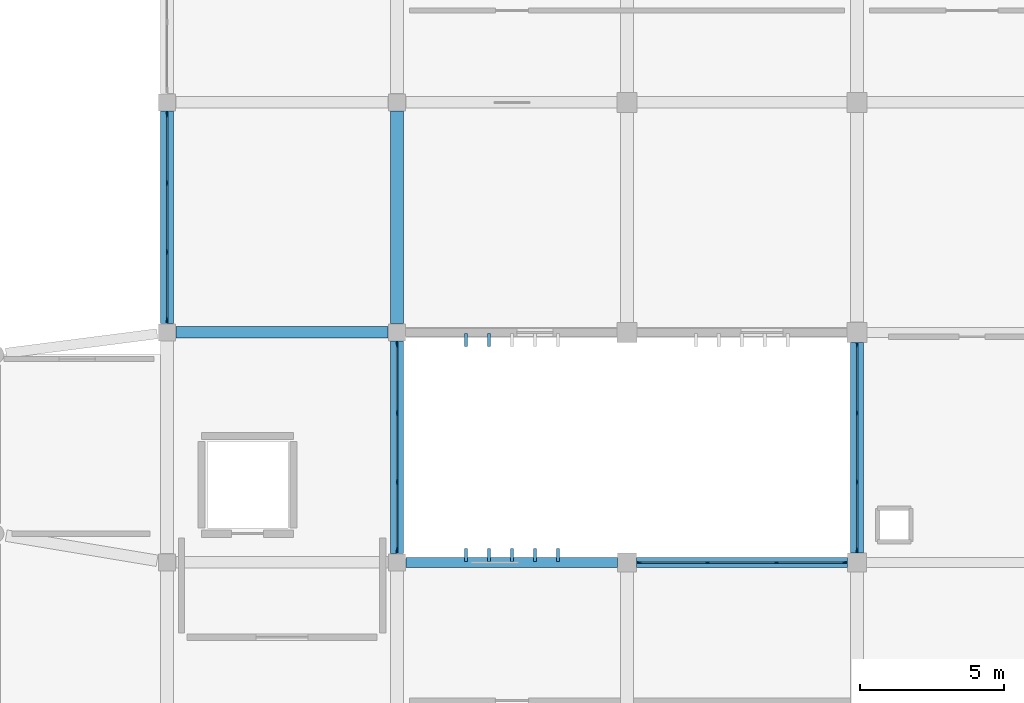
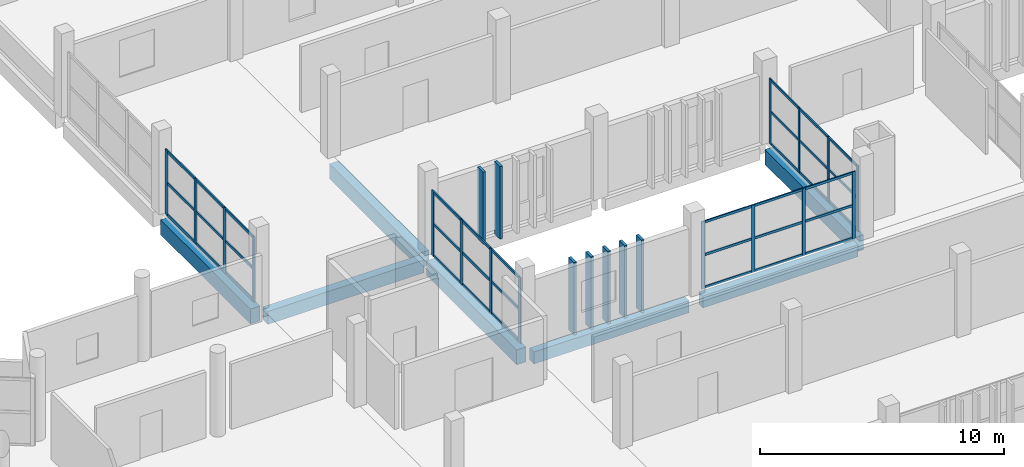
# One storey, part 21 of 137: 59 members, 7 beams, 4 elements without a shape of their own.
"""IFC4 building model written with IfcOpenShell, lengths in metres."""

from ifc_helpers import new_model, si_unit, direction, frame, origin, origin_2d, place, context, subcontext, project, spatial, rectangle, extrude, material, layer, layer_set, material_profile, profile_set, type_object, element, aggregate, save


model = new_model("IFC4")

# Units and contexts
model_context = context("Model", 3, precision=1e-05, world=origin(), true_north=direction((0.0, 1.0)))
body_context = subcontext(model_context, "Body", "Model", "MODEL_VIEW")
ifc_project = project(units=[si_unit("LENGTHUNIT", "METRE"), si_unit("AREAUNIT", "SQUARE_METRE"), si_unit("VOLUMEUNIT", "CUBIC_METRE"), si_unit("PLANEANGLEUNIT", "RADIAN"), si_unit("MASSUNIT", "GRAM", prefix="KILO")], contexts=[model_context])

# Site, building, storey
site_placement = place(None, origin())
site = spatial("IfcSite", under=ifc_project, at=site_placement, CompositionType="ELEMENT")
building_placement = place(site_placement, origin())
building = spatial("IfcBuilding", under=site, at=building_placement, Name="Jelvoka-Kovrelna Polytechnic", CompositionType="ELEMENT")
storey_placement = place(building_placement, frame((0.0, 0.0, 9.60009765625)))
storey = spatial("IfcBuildingStorey", under=building, at=storey_placement, Name="L03", CompositionType="ELEMENT", Elevation=9.60009765625)

# Beams
ifc_material_1 = material(Name="Concrete C40/50", Category="concrete")
ifc_material_profile_1 = material_profile(ifc_material_1, rectangle(XDim=0.39990234375, YDim=0.64990234375, at=origin_2d()), Name="RC 400x650")
ifc_profile_set_1 = profile_set([ifc_material_profile_1], Name="Concrete C40/50")
beam_type_1 = type_object("IfcBeamType", Name="Beam_RC_400x650", PredefinedType="BEAM", material=ifc_profile_set_1)
beam_1_placement = place(storey_placement, frame((48.304931640625, 56.0, -0.590087890625), z_axis=(1.0, 0.0, 0.0), x_axis=(0.0, 1.0, 0.0)))
element("IfcBeam", 1, at=beam_1_placement, inside=storey, type_object=beam_type_1, Name="L03 beam 1093", PredefinedType="BEAM", context=body_context, shape_type="SweptSolid", body=[
    extrude(rectangle(XDim=0.39990234375, YDim=0.64990234375, at=origin_2d()), origin(), (0.0, 0.0, 1.0), 7.39013671875),
])
ifc_material_2 = material(Name="Concrete C40/50", Category="concrete")
ifc_material_profile_2 = material_profile(ifc_material_2, rectangle(XDim=0.449951171875, YDim=0.75, at=origin_2d()), Name="RC 450x750")
ifc_profile_set_2 = profile_set([ifc_material_profile_2], Name="Concrete C40/50")
beam_type_2 = type_object("IfcBeamType", Name="Beam_RC_450x750", PredefinedType="BEAM", material=ifc_profile_set_2)
for number, where, z_axis, x_axis, name in (
    (2, (56.0, 56.304931640625, -0.64013671875), (0.0, 1.0, 0.0), (-1.0, 0.0, 0.0), "L03 beam 1024"),
    (3, (48.0, 56.304931640625, -0.64013671875), (0.0, 1.0, 0.0), (-1.0, 0.0, 0.0), "L03 beam 1100"),
    (4, (56.0, 48.304931640625, -0.64013671875), (0.0, 1.0, 0.0), (-1.0, 0.0, 0.0), "L03 beam 1103"),
):
    element("IfcBeam", number, at=place(storey_placement, frame(where, z_axis=z_axis, x_axis=x_axis)), inside=storey, type_object=beam_type_2, Name=name, PredefinedType="BEAM", context=body_context, shape_type="SweptSolid", body=[
        extrude(rectangle(XDim=0.449951171875, YDim=0.75, at=origin_2d()), origin(), (0.0, 0.0, 1.0), 7.39013671875),
    ])
beam_2_placement = place(storey_placement, frame((72.0, 48.330078125, -0.64013671875), z_axis=(0.0, 1.0, 0.0), x_axis=(-1.0, 0.0, 0.0)))
element("IfcBeam", 5, at=beam_2_placement, inside=storey, type_object=beam_type_2, Name="L03 beam 1108", PredefinedType="BEAM", context=body_context, shape_type="SweptSolid", body=[
    extrude(rectangle(XDim=0.449951171875, YDim=0.75, at=origin_2d()), origin(), (0.0, 0.0, 1.0), 7.31494140625),
])

# Members
ifc_material_3 = material(Name="Precast concrete C40/50", Category="concrete")
ifc_material_profile_3 = material_profile(ifc_material_3, rectangle(XDim=0.1201171875, YDim=0.449951171875, at=origin_2d()), Name="PC 120x450")
ifc_profile_set_3 = profile_set([ifc_material_profile_3], Name="Precast concrete C40/50")
member_type_1 = type_object("IfcMemberType", Name="Louvre_Fin_120x450", PredefinedType="USERDEFINED", material=ifc_profile_set_3)
for number, where, z_axis, x_axis, name in (
    (6, (58.39990234375, 48.264892578125, -0.27001953125), (0.0, 0.0, 1.0), (1.0, 0.0, 0.0), "L03 B2W north vertical solar louvre fin 0656"),
    (7, (59.199951171875, 48.264892578125, -0.27001953125), (0.0, 0.0, 1.0), (1.0, 0.0, 0.0), "L03 B2W north vertical solar louvre fin 0657"),
    (8, (60.0, 48.264892578125, -0.27001953125), (0.0, 0.0, 1.0), (1.0, 0.0, 0.0), "L03 B2W north vertical solar louvre fin 0658"),
    (9, (60.800048828125, 48.264892578125, -0.27001953125), (0.0, 0.0, 1.0), (1.0, 0.0, 0.0), "L03 B2W north vertical solar louvre fin 0659"),
    (10, (61.60009765625, 48.264892578125, -0.27001953125), (0.0, 0.0, 1.0), (1.0, 0.0, 0.0), "L03 B2W north vertical solar louvre fin 0660"),
    (11, (58.39990234375, 55.735107421875, -0.27001953125), (0.0, 0.0, 1.0), (1.0, 0.0, 0.0), "L03 B3 south vertical solar louvre fin 1461"),
    (12, (59.199951171875, 55.735107421875, -0.27001953125), (0.0, 0.0, 1.0), (1.0, 0.0, 0.0), "L03 B3 south vertical solar louvre fin 1462"),
):
    element("IfcMember", number, at=place(storey_placement, frame(where, z_axis=z_axis, x_axis=x_axis)), inside=storey, type_object=member_type_1, Name=name, ObjectType="SUNSHADE", PredefinedType="USERDEFINED", context=body_context, shape_type="SweptSolid", body=[
        extrude(rectangle(XDim=0.1201171875, YDim=0.449951171875, at=origin_2d()), origin(), (0.0, 0.0, 1.0), 3.64501953125),
    ])

# Curtain wall, members
ifc_material_4 = material(Name="Anodised aluminium 6063-T6", Category="aluminium")
ifc_layer_1 = layer(ifc_material_4, 0.159912109375)
ifc_layer_set_1 = layer_set([ifc_layer_1], Name="Anodised aluminium 6063-T6")
curtain_wall_type_1 = type_object("IfcCurtainWallType", Name="CW_Recessed_A", PredefinedType="NOTDEFINED", material=ifc_layer_set_1)
curtain_wall_1_placement = place(storey_placement, origin())
curtain_wall_1 = element("IfcCurtainWall", 13, at=curtain_wall_1_placement, inside=storey, type_object=curtain_wall_type_1, Name="L03 glazed curtain wall 022", PredefinedType="NOTDEFINED")
ifc_material_5 = material(Name="Anodised aluminium 6063-T6", Category="aluminium")
ifc_material_profile_4 = material_profile(ifc_material_5, rectangle(XDim=0.06005859375, YDim=0.159912109375, at=origin_2d()), Name="ALU 60x160")
ifc_profile_set_4 = profile_set([ifc_material_profile_4], Name="Anodised aluminium 6063-T6")
member_type_2 = type_object("IfcMemberType", Name="Mullion_M-01", PredefinedType="MULLION", material=ifc_profile_set_4)
member_1_placement = place(storey_placement, frame((64.429931640625, 48.0, -0.02490234375), z_axis=(0.0, 0.0, 1.0), x_axis=(0.0, 1.0, 0.0)))
member_1 = element("IfcMember", 14, at=member_1_placement, type_object=member_type_2, Name="CW-01 mullion 1", PredefinedType="MULLION", context=body_context, shape_type="SweptSolid", body=[
    extrude(rectangle(XDim=0.06005859375, YDim=0.159912109375, at=origin_2d()), origin(), (0.0, 0.0, 1.0), 3.375),
])
member_2_placement = place(storey_placement, frame((66.800048828125, 48.0, -0.02490234375), z_axis=(0.0, 0.0, 1.0), x_axis=(0.0, 1.0, 0.0)))
member_2 = element("IfcMember", 15, at=member_2_placement, type_object=member_type_2, Name="CW-01 mullion 2", PredefinedType="MULLION", context=body_context, shape_type="SweptSolid", body=[
    extrude(rectangle(XDim=0.06005859375, YDim=0.159912109375, at=origin_2d()), origin(), (0.0, 0.0, 1.0), 3.375),
])
member_3_placement = place(storey_placement, frame((69.199951171875, 48.0, -0.02490234375), z_axis=(0.0, 0.0, 1.0), x_axis=(0.0, 1.0, 0.0)))
member_3 = element("IfcMember", 16, at=member_3_placement, type_object=member_type_2, Name="CW-01 mullion 3", PredefinedType="MULLION", context=body_context, shape_type="SweptSolid", body=[
    extrude(rectangle(XDim=0.06005859375, YDim=0.159912109375, at=origin_2d()), origin(), (0.0, 0.0, 1.0), 3.375),
])
member_4_placement = place(storey_placement, frame((71.570068359375, 48.0, -0.02490234375), z_axis=(0.0, 0.0, 1.0), x_axis=(0.0, 1.0, 0.0)))
member_4 = element("IfcMember", 17, at=member_4_placement, type_object=member_type_2, Name="CW-01 mullion 4", PredefinedType="MULLION", context=body_context, shape_type="SweptSolid", body=[
    extrude(rectangle(XDim=0.06005859375, YDim=0.159912109375, at=origin_2d()), origin(), (0.0, 0.0, 1.0), 3.375),
])

ifc_material_6 = material(Name="Anodised aluminium 6063-T6", Category="aluminium")
ifc_layer_2 = layer(ifc_material_6, 0.159912109375)
ifc_layer_set_2 = layer_set([ifc_layer_2], Name="Anodised aluminium 6063-T6")
curtain_wall_type_2 = type_object("IfcCurtainWallType", Name="CW_LinkBridge", PredefinedType="NOTDEFINED", material=ifc_layer_set_2)
curtain_wall_2_placement = place(storey_placement, origin())
curtain_wall_2 = element("IfcCurtainWall", 18, at=curtain_wall_2_placement, inside=storey, type_object=curtain_wall_type_2, Name="L03 glazed curtain wall 122", PredefinedType="NOTDEFINED")
ifc_material_7 = material(Name="Anodised aluminium 6063-T6", Category="aluminium")
ifc_material_profile_5 = material_profile(ifc_material_7, rectangle(XDim=0.06005859375, YDim=0.159912109375, at=origin_2d()), Name="ALU 60x160")
ifc_profile_set_5 = profile_set([ifc_material_profile_5], Name="Anodised aluminium 6063-T6")
member_type_3 = type_object("IfcMemberType", Name="Mullion_M-04", PredefinedType="MULLION", material=ifc_profile_set_5)
member_5_placement = place(storey_placement, frame((72.0, 48.429931640625, -0.02490234375), z_axis=(0.0, 0.0, 1.0), x_axis=(-1.0, 0.0, 0.0)))
member_5 = element("IfcMember", 19, at=member_5_placement, type_object=member_type_3, Name="CW-04 mullion 1", PredefinedType="MULLION", context=body_context, shape_type="SweptSolid", body=[
    extrude(rectangle(XDim=0.06005859375, YDim=0.159912109375, at=origin_2d()), origin(), (0.0, 0.0, 1.0), 3.27490234375),
])
member_6_placement = place(storey_placement, frame((72.0, 50.800048828125, -0.02490234375), z_axis=(0.0, 0.0, 1.0), x_axis=(-1.0, 0.0, 0.0)))
member_6 = element("IfcMember", 20, at=member_6_placement, type_object=member_type_3, Name="CW-04 mullion 2", PredefinedType="MULLION", context=body_context, shape_type="SweptSolid", body=[
    extrude(rectangle(XDim=0.06005859375, YDim=0.159912109375, at=origin_2d()), origin(), (0.0, 0.0, 1.0), 3.27490234375),
])
member_7_placement = place(storey_placement, frame((72.0, 53.199951171875, -0.02490234375), z_axis=(0.0, 0.0, 1.0), x_axis=(-1.0, 0.0, 0.0)))
member_7 = element("IfcMember", 21, at=member_7_placement, type_object=member_type_3, Name="CW-04 mullion 3", PredefinedType="MULLION", context=body_context, shape_type="SweptSolid", body=[
    extrude(rectangle(XDim=0.06005859375, YDim=0.159912109375, at=origin_2d()), origin(), (0.0, 0.0, 1.0), 3.27490234375),
])
member_8_placement = place(storey_placement, frame((72.0, 55.570068359375, -0.02490234375), z_axis=(0.0, 0.0, 1.0), x_axis=(-1.0, 0.0, 0.0)))
member_8 = element("IfcMember", 22, at=member_8_placement, type_object=member_type_3, Name="CW-04 mullion 4", PredefinedType="MULLION", context=body_context, shape_type="SweptSolid", body=[
    extrude(rectangle(XDim=0.06005859375, YDim=0.159912109375, at=origin_2d()), origin(), (0.0, 0.0, 1.0), 3.27490234375),
])

ifc_material_8 = material(Name="Anodised aluminium 6063-T6", Category="aluminium")
ifc_layer_3 = layer(ifc_material_8, 0.179931640625)
ifc_layer_set_3 = layer_set([ifc_layer_3], Name="Anodised aluminium 6063-T6")
curtain_wall_type_3 = type_object("IfcCurtainWallType", Name="CW_Pavilion", PredefinedType="NOTDEFINED", material=ifc_layer_set_3)
curtain_wall_3_placement = place(storey_placement, origin())
curtain_wall_3 = element("IfcCurtainWall", 23, at=curtain_wall_3_placement, inside=storey, type_object=curtain_wall_type_3, Name="L03 glazed curtain wall 129", PredefinedType="NOTDEFINED")
ifc_material_9 = material(Name="Anodised aluminium 6063-T6", Category="aluminium")
ifc_material_profile_6 = material_profile(ifc_material_9, rectangle(XDim=0.06494140625, YDim=0.179931640625, at=origin_2d()), Name="ALU 65x180")
ifc_profile_set_6 = profile_set([ifc_material_profile_6], Name="Anodised aluminium 6063-T6")
member_type_4 = type_object("IfcMemberType", Name="Mullion_M-05", PredefinedType="MULLION", material=ifc_profile_set_6)
member_9_placement = place(storey_placement, frame((56.0, 55.5673828125, -0.02490234375), z_axis=(0.0, 0.0, 1.0), x_axis=(1.0, 0.0, 0.0)))
member_9 = element("IfcMember", 24, at=member_9_placement, type_object=member_type_4, Name="CW-05 mullion 1", PredefinedType="MULLION", context=body_context, shape_type="SweptSolid", body=[
    extrude(rectangle(XDim=0.06494140625, YDim=0.179931640625, at=origin_2d()), origin(), (0.0, 0.0, 1.0), 3.27490234375),
])
member_10_placement = place(storey_placement, frame((56.0, 53.199951171875, -0.02490234375), z_axis=(0.0, 0.0, 1.0), x_axis=(1.0, 0.0, 0.0)))
member_10 = element("IfcMember", 25, at=member_10_placement, type_object=member_type_4, Name="CW-05 mullion 2", PredefinedType="MULLION", context=body_context, shape_type="SweptSolid", body=[
    extrude(rectangle(XDim=0.06494140625, YDim=0.179931640625, at=origin_2d()), origin(), (0.0, 0.0, 1.0), 3.27490234375),
])
member_11_placement = place(storey_placement, frame((56.0, 50.800048828125, -0.02490234375), z_axis=(0.0, 0.0, 1.0), x_axis=(1.0, 0.0, 0.0)))
member_11 = element("IfcMember", 26, at=member_11_placement, type_object=member_type_4, Name="CW-05 mullion 3", PredefinedType="MULLION", context=body_context, shape_type="SweptSolid", body=[
    extrude(rectangle(XDim=0.06494140625, YDim=0.179931640625, at=origin_2d()), origin(), (0.0, 0.0, 1.0), 3.27490234375),
])
member_12_placement = place(storey_placement, frame((56.0, 48.4326171875, -0.02490234375), z_axis=(0.0, 0.0, 1.0), x_axis=(1.0, 0.0, 0.0)))
member_12 = element("IfcMember", 27, at=member_12_placement, type_object=member_type_4, Name="CW-05 mullion 4", PredefinedType="MULLION", context=body_context, shape_type="SweptSolid", body=[
    extrude(rectangle(XDim=0.06494140625, YDim=0.179931640625, at=origin_2d()), origin(), (0.0, 0.0, 1.0), 3.27490234375),
])

curtain_wall_4_placement = place(storey_placement, origin())
curtain_wall_4 = element("IfcCurtainWall", 28, at=curtain_wall_4_placement, inside=storey, type_object=curtain_wall_type_3, Name="L03 glazed curtain wall 130", PredefinedType="NOTDEFINED")
member_13_placement = place(storey_placement, frame((48.0, 56.4326171875, -0.02490234375), z_axis=(0.0, 0.0, 1.0), x_axis=(-1.0, 0.0, 0.0)))
member_13 = element("IfcMember", 29, at=member_13_placement, type_object=member_type_4, Name="CW-05 mullion 1", PredefinedType="MULLION", context=body_context, shape_type="SweptSolid", body=[
    extrude(rectangle(XDim=0.06494140625, YDim=0.179931640625, at=origin_2d()), origin(), (0.0, 0.0, 1.0), 3.27490234375),
])
member_14_placement = place(storey_placement, frame((48.0, 58.800048828125, -0.02490234375), z_axis=(0.0, 0.0, 1.0), x_axis=(-1.0, 0.0, 0.0)))
member_14 = element("IfcMember", 30, at=member_14_placement, type_object=member_type_4, Name="CW-05 mullion 2", PredefinedType="MULLION", context=body_context, shape_type="SweptSolid", body=[
    extrude(rectangle(XDim=0.06494140625, YDim=0.179931640625, at=origin_2d()), origin(), (0.0, 0.0, 1.0), 3.27490234375),
])
member_15_placement = place(storey_placement, frame((48.0, 61.199951171875, -0.02490234375), z_axis=(0.0, 0.0, 1.0), x_axis=(-1.0, 0.0, 0.0)))
member_15 = element("IfcMember", 31, at=member_15_placement, type_object=member_type_4, Name="CW-05 mullion 3", PredefinedType="MULLION", context=body_context, shape_type="SweptSolid", body=[
    extrude(rectangle(XDim=0.06494140625, YDim=0.179931640625, at=origin_2d()), origin(), (0.0, 0.0, 1.0), 3.27490234375),
])
member_16_placement = place(storey_placement, frame((48.0, 63.5673828125, -0.02490234375), z_axis=(0.0, 0.0, 1.0), x_axis=(-1.0, 0.0, 0.0)))
member_16 = element("IfcMember", 32, at=member_16_placement, type_object=member_type_4, Name="CW-05 mullion 4", PredefinedType="MULLION", context=body_context, shape_type="SweptSolid", body=[
    extrude(rectangle(XDim=0.06494140625, YDim=0.179931640625, at=origin_2d()), origin(), (0.0, 0.0, 1.0), 3.27490234375),
])

# Beams
ifc_material_10 = material(Name="Concrete C40/50", Category="concrete")
ifc_material_profile_7 = material_profile(ifc_material_10, rectangle(XDim=0.35009765625, YDim=0.60009765625, at=origin_2d()), Name="RC 350x600")
ifc_profile_set_7 = profile_set([ifc_material_profile_7], Name="Concrete C40/50")
beam_type_3 = type_object("IfcBeamType", Name="Spandrel_RC_350x600", PredefinedType="SPANDREL", material=ifc_profile_set_7)
beam_3_placement = place(storey_placement, frame((56.304931640625, 48.0, -0.565185546875), z_axis=(1.0, 0.0, 0.0), x_axis=(0.0, 1.0, 0.0)))
element("IfcBeam", 33, at=beam_3_placement, inside=storey, type_object=beam_type_3, Name="L03 beam 0940", PredefinedType="SPANDREL", context=body_context, shape_type="SweptSolid", body=[
    extrude(rectangle(XDim=0.35009765625, YDim=0.60009765625, at=origin_2d()), origin(), (0.0, 0.0, 1.0), 7.364990234375),
])
beam_4_placement = place(storey_placement, frame((64.330078125, 48.0, -0.565185546875), z_axis=(1.0, 0.0, 0.0), x_axis=(0.0, 1.0, 0.0)))
element("IfcBeam", 34, at=beam_4_placement, inside=storey, type_object=beam_type_3, Name="L03 beam 0941", PredefinedType="SPANDREL", context=body_context, shape_type="SweptSolid", body=[
    extrude(rectangle(XDim=0.35009765625, YDim=0.60009765625, at=origin_2d()), origin(), (0.0, 0.0, 1.0), 7.33984375),
])

# Member
ifc_material_11 = material(Name="Anodised aluminium 6063-T6", Category="aluminium")
ifc_material_profile_8 = material_profile(ifc_material_11, rectangle(XDim=0.06005859375, YDim=0.1201171875, at=origin_2d()), Name="ALU 60x120")
ifc_profile_set_8 = profile_set([ifc_material_profile_8], Name="Anodised aluminium 6063-T6")
member_type_5 = type_object("IfcMemberType", Name="Transom_T-01", PredefinedType="USERDEFINED", material=ifc_profile_set_8)
member_17_placement = place(storey_placement, frame((64.4599609375, 48.0, 0.02978515625), z_axis=(1.0, 0.0, 0.0), x_axis=(0.0, 1.0, 0.0)))
member_17 = element("IfcMember", 35, at=member_17_placement, type_object=member_type_5, Name="CW-01 transom 1.1", ObjectType="TRANSOM", PredefinedType="USERDEFINED", context=body_context, shape_type="SweptSolid", body=[
    extrude(rectangle(XDim=0.06005859375, YDim=0.1201171875, at=origin_2d()), origin(), (0.0, 0.0, 1.0), 2.31005859375),
])

member_18_placement = place(storey_placement, frame((64.4599609375, 48.0, 1.662353515625), z_axis=(1.0, 0.0, 0.0), x_axis=(0.0, 1.0, 0.0)))
member_18 = element("IfcMember", 36, at=member_18_placement, type_object=member_type_5, Name="CW-01 transom 1.2", ObjectType="TRANSOM", PredefinedType="USERDEFINED", context=body_context, shape_type="SweptSolid", body=[
    extrude(rectangle(XDim=0.06005859375, YDim=0.1201171875, at=origin_2d()), origin(), (0.0, 0.0, 1.0), 2.31005859375),
])

member_19_placement = place(storey_placement, frame((64.4599609375, 48.0, 3.294921875), z_axis=(1.0, 0.0, 0.0), x_axis=(0.0, 1.0, 0.0)))
member_19 = element("IfcMember", 37, at=member_19_placement, type_object=member_type_5, Name="CW-01 transom 1.3", ObjectType="TRANSOM", PredefinedType="USERDEFINED", context=body_context, shape_type="SweptSolid", body=[
    extrude(rectangle(XDim=0.06005859375, YDim=0.1201171875, at=origin_2d()), origin(), (0.0, 0.0, 1.0), 2.31005859375),
])

member_20_placement = place(storey_placement, frame((66.830078125, 48.0, 0.02978515625), z_axis=(1.0, 0.0, 0.0), x_axis=(0.0, 1.0, 0.0)))
member_20 = element("IfcMember", 38, at=member_20_placement, type_object=member_type_5, Name="CW-01 transom 2.1", ObjectType="TRANSOM", PredefinedType="USERDEFINED", context=body_context, shape_type="SweptSolid", body=[
    extrude(rectangle(XDim=0.06005859375, YDim=0.1201171875, at=origin_2d()), origin(), (0.0, 0.0, 1.0), 2.33984375),
])

member_21_placement = place(storey_placement, frame((66.830078125, 48.0, 1.662353515625), z_axis=(1.0, 0.0, 0.0), x_axis=(0.0, 1.0, 0.0)))
member_21 = element("IfcMember", 39, at=member_21_placement, type_object=member_type_5, Name="CW-01 transom 2.2", ObjectType="TRANSOM", PredefinedType="USERDEFINED", context=body_context, shape_type="SweptSolid", body=[
    extrude(rectangle(XDim=0.06005859375, YDim=0.1201171875, at=origin_2d()), origin(), (0.0, 0.0, 1.0), 2.33984375),
])

member_22_placement = place(storey_placement, frame((66.830078125, 48.0, 3.294921875), z_axis=(1.0, 0.0, 0.0), x_axis=(0.0, 1.0, 0.0)))
member_22 = element("IfcMember", 40, at=member_22_placement, type_object=member_type_5, Name="CW-01 transom 2.3", ObjectType="TRANSOM", PredefinedType="USERDEFINED", context=body_context, shape_type="SweptSolid", body=[
    extrude(rectangle(XDim=0.06005859375, YDim=0.1201171875, at=origin_2d()), origin(), (0.0, 0.0, 1.0), 2.33984375),
])

member_23_placement = place(storey_placement, frame((69.22998046875, 48.0, 0.02978515625), z_axis=(1.0, 0.0, 0.0), x_axis=(0.0, 1.0, 0.0)))
member_23 = element("IfcMember", 41, at=member_23_placement, type_object=member_type_5, Name="CW-01 transom 3.1", ObjectType="TRANSOM", PredefinedType="USERDEFINED", context=body_context, shape_type="SweptSolid", body=[
    extrude(rectangle(XDim=0.06005859375, YDim=0.1201171875, at=origin_2d()), origin(), (0.0, 0.0, 1.0), 2.31005859375),
])

member_24_placement = place(storey_placement, frame((69.22998046875, 48.0, 1.662353515625), z_axis=(1.0, 0.0, 0.0), x_axis=(0.0, 1.0, 0.0)))
member_24 = element("IfcMember", 42, at=member_24_placement, type_object=member_type_5, Name="CW-01 transom 3.2", ObjectType="TRANSOM", PredefinedType="USERDEFINED", context=body_context, shape_type="SweptSolid", body=[
    extrude(rectangle(XDim=0.06005859375, YDim=0.1201171875, at=origin_2d()), origin(), (0.0, 0.0, 1.0), 2.31005859375),
])

member_25_placement = place(storey_placement, frame((69.22998046875, 48.0, 3.294921875), z_axis=(1.0, 0.0, 0.0), x_axis=(0.0, 1.0, 0.0)))
member_25 = element("IfcMember", 43, at=member_25_placement, type_object=member_type_5, Name="CW-01 transom 3.3", ObjectType="TRANSOM", PredefinedType="USERDEFINED", context=body_context, shape_type="SweptSolid", body=[
    extrude(rectangle(XDim=0.06005859375, YDim=0.1201171875, at=origin_2d()), origin(), (0.0, 0.0, 1.0), 2.31005859375),
])

aggregate(curtain_wall_1, [member_1, member_2, member_3, member_4, member_17, member_18, member_19, member_20, member_21, member_22, member_23, member_24, member_25])

ifc_material_12 = material(Name="Anodised aluminium 6063-T6", Category="aluminium")
ifc_material_profile_9 = material_profile(ifc_material_12, rectangle(XDim=0.06005859375, YDim=0.1201171875, at=origin_2d()), Name="ALU 60x120")
ifc_profile_set_9 = profile_set([ifc_material_profile_9], Name="Anodised aluminium 6063-T6")
member_type_6 = type_object("IfcMemberType", Name="Transom_T-04", PredefinedType="USERDEFINED", material=ifc_profile_set_9)
member_26_placement = place(storey_placement, frame((72.0, 48.4599609375, 0.02978515625), z_axis=(0.0, 1.0, 0.0), x_axis=(-1.0, 0.0, 0.0)))
member_26 = element("IfcMember", 44, at=member_26_placement, type_object=member_type_6, Name="CW-04 transom 1.1", ObjectType="TRANSOM", PredefinedType="USERDEFINED", context=body_context, shape_type="SweptSolid", body=[
    extrude(rectangle(XDim=0.06005859375, YDim=0.1201171875, at=origin_2d()), origin(), (0.0, 0.0, 1.0), 2.31005859375),
])

member_27_placement = place(storey_placement, frame((72.0, 48.4599609375, 1.6123046875), z_axis=(0.0, 1.0, 0.0), x_axis=(-1.0, 0.0, 0.0)))
member_27 = element("IfcMember", 45, at=member_27_placement, type_object=member_type_6, Name="CW-04 transom 1.2", ObjectType="TRANSOM", PredefinedType="USERDEFINED", context=body_context, shape_type="SweptSolid", body=[
    extrude(rectangle(XDim=0.06005859375, YDim=0.1201171875, at=origin_2d()), origin(), (0.0, 0.0, 1.0), 2.31005859375),
])

member_28_placement = place(storey_placement, frame((72.0, 48.4599609375, 3.19482421875), z_axis=(0.0, 1.0, 0.0), x_axis=(-1.0, 0.0, 0.0)))
member_28 = element("IfcMember", 46, at=member_28_placement, type_object=member_type_6, Name="CW-04 transom 1.3", ObjectType="TRANSOM", PredefinedType="USERDEFINED", context=body_context, shape_type="SweptSolid", body=[
    extrude(rectangle(XDim=0.06005859375, YDim=0.1201171875, at=origin_2d()), origin(), (0.0, 0.0, 1.0), 2.31005859375),
])

member_29_placement = place(storey_placement, frame((72.0, 50.830078125, 0.02978515625), z_axis=(0.0, 1.0, 0.0), x_axis=(-1.0, 0.0, 0.0)))
member_29 = element("IfcMember", 47, at=member_29_placement, type_object=member_type_6, Name="CW-04 transom 2.1", ObjectType="TRANSOM", PredefinedType="USERDEFINED", context=body_context, shape_type="SweptSolid", body=[
    extrude(rectangle(XDim=0.06005859375, YDim=0.1201171875, at=origin_2d()), origin(), (0.0, 0.0, 1.0), 2.33984375),
])

member_30_placement = place(storey_placement, frame((72.0, 50.830078125, 1.6123046875), z_axis=(0.0, 1.0, 0.0), x_axis=(-1.0, 0.0, 0.0)))
member_30 = element("IfcMember", 48, at=member_30_placement, type_object=member_type_6, Name="CW-04 transom 2.2", ObjectType="TRANSOM", PredefinedType="USERDEFINED", context=body_context, shape_type="SweptSolid", body=[
    extrude(rectangle(XDim=0.06005859375, YDim=0.1201171875, at=origin_2d()), origin(), (0.0, 0.0, 1.0), 2.33984375),
])

member_31_placement = place(storey_placement, frame((72.0, 50.830078125, 3.19482421875), z_axis=(0.0, 1.0, 0.0), x_axis=(-1.0, 0.0, 0.0)))
member_31 = element("IfcMember", 49, at=member_31_placement, type_object=member_type_6, Name="CW-04 transom 2.3", ObjectType="TRANSOM", PredefinedType="USERDEFINED", context=body_context, shape_type="SweptSolid", body=[
    extrude(rectangle(XDim=0.06005859375, YDim=0.1201171875, at=origin_2d()), origin(), (0.0, 0.0, 1.0), 2.33984375),
])

member_32_placement = place(storey_placement, frame((72.0, 53.22998046875, 0.02978515625), z_axis=(0.0, 1.0, 0.0), x_axis=(-1.0, 0.0, 0.0)))
member_32 = element("IfcMember", 50, at=member_32_placement, type_object=member_type_6, Name="CW-04 transom 3.1", ObjectType="TRANSOM", PredefinedType="USERDEFINED", context=body_context, shape_type="SweptSolid", body=[
    extrude(rectangle(XDim=0.06005859375, YDim=0.1201171875, at=origin_2d()), origin(), (0.0, 0.0, 1.0), 2.31005859375),
])

member_33_placement = place(storey_placement, frame((72.0, 53.22998046875, 1.6123046875), z_axis=(0.0, 1.0, 0.0), x_axis=(-1.0, 0.0, 0.0)))
member_33 = element("IfcMember", 51, at=member_33_placement, type_object=member_type_6, Name="CW-04 transom 3.2", ObjectType="TRANSOM", PredefinedType="USERDEFINED", context=body_context, shape_type="SweptSolid", body=[
    extrude(rectangle(XDim=0.06005859375, YDim=0.1201171875, at=origin_2d()), origin(), (0.0, 0.0, 1.0), 2.31005859375),
])

member_34_placement = place(storey_placement, frame((72.0, 53.22998046875, 3.19482421875), z_axis=(0.0, 1.0, 0.0), x_axis=(-1.0, 0.0, 0.0)))
member_34 = element("IfcMember", 52, at=member_34_placement, type_object=member_type_6, Name="CW-04 transom 3.3", ObjectType="TRANSOM", PredefinedType="USERDEFINED", context=body_context, shape_type="SweptSolid", body=[
    extrude(rectangle(XDim=0.06005859375, YDim=0.1201171875, at=origin_2d()), origin(), (0.0, 0.0, 1.0), 2.31005859375),
])

aggregate(curtain_wall_2, [member_5, member_6, member_7, member_8, member_26, member_27, member_28, member_29, member_30, member_31, member_32, member_33, member_34])

ifc_material_13 = material(Name="Anodised aluminium 6063-T6", Category="aluminium")
ifc_material_profile_10 = material_profile(ifc_material_13, rectangle(XDim=0.06494140625, YDim=0.135009765625, at=origin_2d()), Name="ALU 65x135")
ifc_profile_set_10 = profile_set([ifc_material_profile_10], Name="Anodised aluminium 6063-T6")
member_type_7 = type_object("IfcMemberType", Name="Transom_T-05", PredefinedType="USERDEFINED", material=ifc_profile_set_10)
member_35_placement = place(storey_placement, frame((56.0, 55.534912109375, 0.032470703125), z_axis=(0.0, -1.0, 0.0), x_axis=(1.0, 0.0, 0.0)))
member_35 = element("IfcMember", 53, at=member_35_placement, type_object=member_type_7, Name="CW-05 transom 1.1", ObjectType="TRANSOM", PredefinedType="USERDEFINED", context=body_context, shape_type="SweptSolid", body=[
    extrude(rectangle(XDim=0.06494140625, YDim=0.135009765625, at=origin_2d()), origin(), (0.0, 0.0, 1.0), 2.302490234375),
])

member_36_placement = place(storey_placement, frame((56.0, 55.534912109375, 1.6123046875), z_axis=(0.0, -1.0, 0.0), x_axis=(1.0, 0.0, 0.0)))
member_36 = element("IfcMember", 54, at=member_36_placement, type_object=member_type_7, Name="CW-05 transom 1.2", ObjectType="TRANSOM", PredefinedType="USERDEFINED", context=body_context, shape_type="SweptSolid", body=[
    extrude(rectangle(XDim=0.06494140625, YDim=0.135009765625, at=origin_2d()), origin(), (0.0, 0.0, 1.0), 2.302490234375),
])

member_37_placement = place(storey_placement, frame((56.0, 55.534912109375, 3.1923828125), z_axis=(0.0, -1.0, 0.0), x_axis=(1.0, 0.0, 0.0)))
member_37 = element("IfcMember", 55, at=member_37_placement, type_object=member_type_7, Name="CW-05 transom 1.3", ObjectType="TRANSOM", PredefinedType="USERDEFINED", context=body_context, shape_type="SweptSolid", body=[
    extrude(rectangle(XDim=0.06494140625, YDim=0.135009765625, at=origin_2d()), origin(), (0.0, 0.0, 1.0), 2.302490234375),
])

member_38_placement = place(storey_placement, frame((56.0, 53.16748046875, 0.032470703125), z_axis=(0.0, -1.0, 0.0), x_axis=(1.0, 0.0, 0.0)))
member_38 = element("IfcMember", 56, at=member_38_placement, type_object=member_type_7, Name="CW-05 transom 2.1", ObjectType="TRANSOM", PredefinedType="USERDEFINED", context=body_context, shape_type="SweptSolid", body=[
    extrude(rectangle(XDim=0.06494140625, YDim=0.135009765625, at=origin_2d()), origin(), (0.0, 0.0, 1.0), 2.3349609375),
])

member_39_placement = place(storey_placement, frame((56.0, 53.16748046875, 1.6123046875), z_axis=(0.0, -1.0, 0.0), x_axis=(1.0, 0.0, 0.0)))
member_39 = element("IfcMember", 57, at=member_39_placement, type_object=member_type_7, Name="CW-05 transom 2.2", ObjectType="TRANSOM", PredefinedType="USERDEFINED", context=body_context, shape_type="SweptSolid", body=[
    extrude(rectangle(XDim=0.06494140625, YDim=0.135009765625, at=origin_2d()), origin(), (0.0, 0.0, 1.0), 2.3349609375),
])

member_40_placement = place(storey_placement, frame((56.0, 53.16748046875, 3.1923828125), z_axis=(0.0, -1.0, 0.0), x_axis=(1.0, 0.0, 0.0)))
member_40 = element("IfcMember", 58, at=member_40_placement, type_object=member_type_7, Name="CW-05 transom 2.3", ObjectType="TRANSOM", PredefinedType="USERDEFINED", context=body_context, shape_type="SweptSolid", body=[
    extrude(rectangle(XDim=0.06494140625, YDim=0.135009765625, at=origin_2d()), origin(), (0.0, 0.0, 1.0), 2.3349609375),
])

member_41_placement = place(storey_placement, frame((56.0, 50.767578125, 0.032470703125), z_axis=(0.0, -1.0, 0.0), x_axis=(1.0, 0.0, 0.0)))
member_41 = element("IfcMember", 59, at=member_41_placement, type_object=member_type_7, Name="CW-05 transom 3.1", ObjectType="TRANSOM", PredefinedType="USERDEFINED", context=body_context, shape_type="SweptSolid", body=[
    extrude(rectangle(XDim=0.06494140625, YDim=0.135009765625, at=origin_2d()), origin(), (0.0, 0.0, 1.0), 2.302490234375),
])

member_42_placement = place(storey_placement, frame((56.0, 50.767578125, 1.6123046875), z_axis=(0.0, -1.0, 0.0), x_axis=(1.0, 0.0, 0.0)))
member_42 = element("IfcMember", 60, at=member_42_placement, type_object=member_type_7, Name="CW-05 transom 3.2", ObjectType="TRANSOM", PredefinedType="USERDEFINED", context=body_context, shape_type="SweptSolid", body=[
    extrude(rectangle(XDim=0.06494140625, YDim=0.135009765625, at=origin_2d()), origin(), (0.0, 0.0, 1.0), 2.302490234375),
])

member_43_placement = place(storey_placement, frame((56.0, 50.767578125, 3.1923828125), z_axis=(0.0, -1.0, 0.0), x_axis=(1.0, 0.0, 0.0)))
member_43 = element("IfcMember", 61, at=member_43_placement, type_object=member_type_7, Name="CW-05 transom 3.3", ObjectType="TRANSOM", PredefinedType="USERDEFINED", context=body_context, shape_type="SweptSolid", body=[
    extrude(rectangle(XDim=0.06494140625, YDim=0.135009765625, at=origin_2d()), origin(), (0.0, 0.0, 1.0), 2.302490234375),
])

aggregate(curtain_wall_3, [member_9, member_10, member_11, member_12, member_35, member_36, member_37, member_38, member_39, member_40, member_41, member_42, member_43])

member_44_placement = place(storey_placement, frame((48.0, 56.465087890625, 0.032470703125), z_axis=(0.0, 1.0, 0.0), x_axis=(-1.0, 0.0, 0.0)))
member_44 = element("IfcMember", 62, at=member_44_placement, type_object=member_type_7, Name="CW-05 transom 1.1", ObjectType="TRANSOM", PredefinedType="USERDEFINED", context=body_context, shape_type="SweptSolid", body=[
    extrude(rectangle(XDim=0.06494140625, YDim=0.135009765625, at=origin_2d()), origin(), (0.0, 0.0, 1.0), 2.302490234375),
])

member_45_placement = place(storey_placement, frame((48.0, 56.465087890625, 1.6123046875), z_axis=(0.0, 1.0, 0.0), x_axis=(-1.0, 0.0, 0.0)))
member_45 = element("IfcMember", 63, at=member_45_placement, type_object=member_type_7, Name="CW-05 transom 1.2", ObjectType="TRANSOM", PredefinedType="USERDEFINED", context=body_context, shape_type="SweptSolid", body=[
    extrude(rectangle(XDim=0.06494140625, YDim=0.135009765625, at=origin_2d()), origin(), (0.0, 0.0, 1.0), 2.302490234375),
])

member_46_placement = place(storey_placement, frame((48.0, 56.465087890625, 3.1923828125), z_axis=(0.0, 1.0, 0.0), x_axis=(-1.0, 0.0, 0.0)))
member_46 = element("IfcMember", 64, at=member_46_placement, type_object=member_type_7, Name="CW-05 transom 1.3", ObjectType="TRANSOM", PredefinedType="USERDEFINED", context=body_context, shape_type="SweptSolid", body=[
    extrude(rectangle(XDim=0.06494140625, YDim=0.135009765625, at=origin_2d()), origin(), (0.0, 0.0, 1.0), 2.302490234375),
])

member_47_placement = place(storey_placement, frame((48.0, 58.83251953125, 0.032470703125), z_axis=(0.0, 1.0, 0.0), x_axis=(-1.0, 0.0, 0.0)))
member_47 = element("IfcMember", 65, at=member_47_placement, type_object=member_type_7, Name="CW-05 transom 2.1", ObjectType="TRANSOM", PredefinedType="USERDEFINED", context=body_context, shape_type="SweptSolid", body=[
    extrude(rectangle(XDim=0.06494140625, YDim=0.135009765625, at=origin_2d()), origin(), (0.0, 0.0, 1.0), 2.3349609375),
])

member_48_placement = place(storey_placement, frame((48.0, 58.83251953125, 1.6123046875), z_axis=(0.0, 1.0, 0.0), x_axis=(-1.0, 0.0, 0.0)))
member_48 = element("IfcMember", 66, at=member_48_placement, type_object=member_type_7, Name="CW-05 transom 2.2", ObjectType="TRANSOM", PredefinedType="USERDEFINED", context=body_context, shape_type="SweptSolid", body=[
    extrude(rectangle(XDim=0.06494140625, YDim=0.135009765625, at=origin_2d()), origin(), (0.0, 0.0, 1.0), 2.3349609375),
])

member_49_placement = place(storey_placement, frame((48.0, 58.83251953125, 3.1923828125), z_axis=(0.0, 1.0, 0.0), x_axis=(-1.0, 0.0, 0.0)))
member_49 = element("IfcMember", 67, at=member_49_placement, type_object=member_type_7, Name="CW-05 transom 2.3", ObjectType="TRANSOM", PredefinedType="USERDEFINED", context=body_context, shape_type="SweptSolid", body=[
    extrude(rectangle(XDim=0.06494140625, YDim=0.135009765625, at=origin_2d()), origin(), (0.0, 0.0, 1.0), 2.3349609375),
])

member_50_placement = place(storey_placement, frame((48.0, 61.232421875, 0.032470703125), z_axis=(0.0, 1.0, 0.0), x_axis=(-1.0, 0.0, 0.0)))
member_50 = element("IfcMember", 68, at=member_50_placement, type_object=member_type_7, Name="CW-05 transom 3.1", ObjectType="TRANSOM", PredefinedType="USERDEFINED", context=body_context, shape_type="SweptSolid", body=[
    extrude(rectangle(XDim=0.06494140625, YDim=0.135009765625, at=origin_2d()), origin(), (0.0, 0.0, 1.0), 2.302490234375),
])

member_51_placement = place(storey_placement, frame((48.0, 61.232421875, 1.6123046875), z_axis=(0.0, 1.0, 0.0), x_axis=(-1.0, 0.0, 0.0)))
member_51 = element("IfcMember", 69, at=member_51_placement, type_object=member_type_7, Name="CW-05 transom 3.2", ObjectType="TRANSOM", PredefinedType="USERDEFINED", context=body_context, shape_type="SweptSolid", body=[
    extrude(rectangle(XDim=0.06494140625, YDim=0.135009765625, at=origin_2d()), origin(), (0.0, 0.0, 1.0), 2.302490234375),
])

member_52_placement = place(storey_placement, frame((48.0, 61.232421875, 3.1923828125), z_axis=(0.0, 1.0, 0.0), x_axis=(-1.0, 0.0, 0.0)))
member_52 = element("IfcMember", 70, at=member_52_placement, type_object=member_type_7, Name="CW-05 transom 3.3", ObjectType="TRANSOM", PredefinedType="USERDEFINED", context=body_context, shape_type="SweptSolid", body=[
    extrude(rectangle(XDim=0.06494140625, YDim=0.135009765625, at=origin_2d()), origin(), (0.0, 0.0, 1.0), 2.302490234375),
])

aggregate(curtain_wall_4, [member_13, member_14, member_15, member_16, member_44, member_45, member_46, member_47, member_48, member_49, member_50, member_51, member_52])

save(model, "model.ifc")
